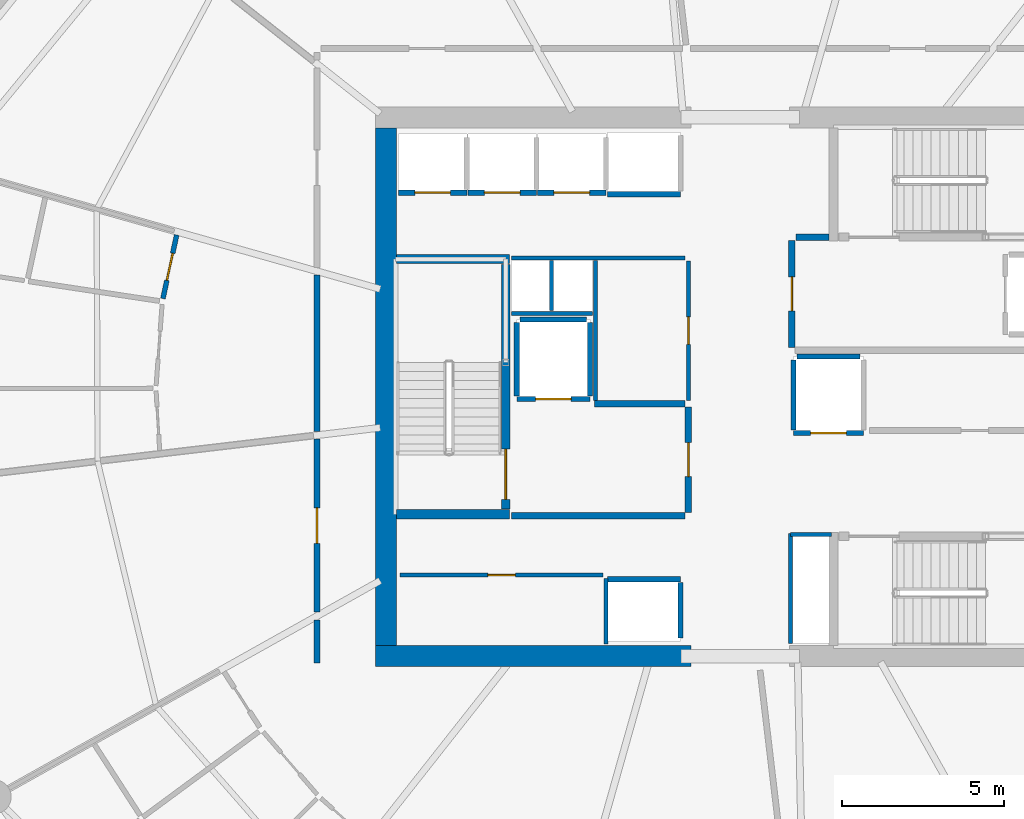
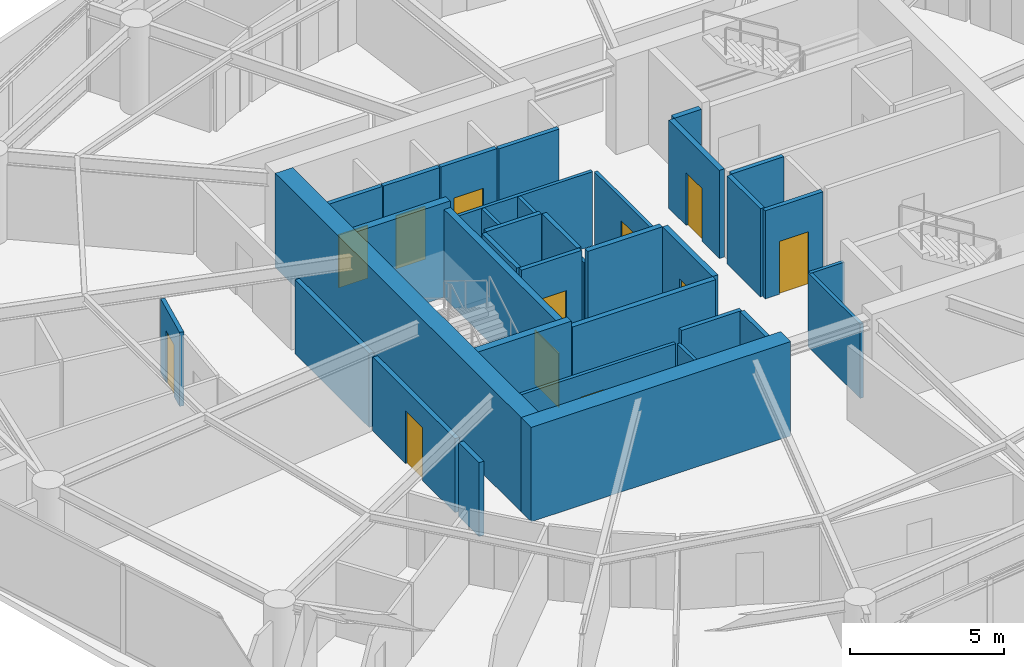
# One storey, part 12 of 20: 36 walls, 12 doors, 12 openings.
"""IFC4 building model written with IfcOpenShell, lengths in metres."""

from ifc_helpers import new_model, si_unit, direction, frame, frame_2d, origin, place, context, subcontext, project, spatial, rectangle, extrude, material, layer, layer_set, type_object, element, fill, save


model = new_model("IFC4")

# Units and contexts
model_context = context("Model", 3, precision=1e-05, world=origin(), true_north=direction((0.0, 1.0)))
body_context = subcontext(model_context, "Body", "Model", "MODEL_VIEW")
ifc_project = project(units=[si_unit("LENGTHUNIT", "METRE"), si_unit("AREAUNIT", "SQUARE_METRE"), si_unit("VOLUMEUNIT", "CUBIC_METRE"), si_unit("PLANEANGLEUNIT", "RADIAN"), si_unit("MASSUNIT", "GRAM", prefix="KILO")], contexts=[model_context])

# Site, building, storey
site_placement = place(None, origin())
site = spatial("IfcSite", under=ifc_project, at=site_placement, CompositionType="ELEMENT")
building_placement = place(site_placement, origin())
building = spatial("IfcBuilding", under=site, at=building_placement, Name="Kazma Halo Residences", CompositionType="ELEMENT")
storey_placement = place(building_placement, frame((0.0, 0.0, 206.550048828125)))
storey = spatial("IfcBuildingStorey", under=building, at=storey_placement, Name="L52", CompositionType="ELEMENT", Elevation=206.550048828125)

# Walls
ifc_material_1 = material(Name="Concrete C60/75", Category="concrete")
ifc_layer_1 = layer(ifc_material_1, 0.64990234375)
ifc_layer_set_1 = layer_set([ifc_layer_1], Name="Concrete C60/75")
wall_type_1 = type_object("IfcWallType", Name="WL-CORE-650", PredefinedType="SHEAR", material=ifc_layer_set_1)
wall_1_placement = place(storey_placement, frame((37.14990234375, 33.675048828125, 0.0), z_axis=(0.0, 0.0, 1.0), x_axis=(1.0, 0.0, 0.0)))
element("IfcWall", 1, at=wall_1_placement, inside=storey, type_object=wall_type_1, Name="L52 central core shear wall SW", PredefinedType="SHEAR", context=body_context, shape_type="SweptSolid", body=[
    extrude(rectangle(XDim=9.75, YDim=0.64990234375, at=frame_2d((4.875, 0.0))), origin(), (0.0, 0.0, 1.0), 3.75),
])
wall_2_placement = place(storey_placement, frame((37.47509765625, 34.0, 0.0), z_axis=(0.0, 0.0, 1.0), x_axis=(0.0, 1.0, 0.0)))
element("IfcWall", 2, at=wall_2_placement, inside=storey, type_object=wall_type_1, Name="L52 central core shear wall W", PredefinedType="SHEAR", context=body_context, shape_type="SweptSolid", body=[
    extrude(rectangle(XDim=16.0, YDim=0.64990234375, at=frame_2d((8.0, 0.0))), origin(), (0.0, 0.0, 1.0), 3.75),
])
ifc_layer_2 = layer(ifc_material_1, 0.280029296875)
ifc_layer_set_2 = layer_set([ifc_layer_2], Name="Concrete C60/75")
wall_type_2 = type_object("IfcWallType", Name="WL-CORE-ST-280", PredefinedType="SHEAR", material=ifc_layer_set_2)
for number, where, z_axis, x_axis, name in (
    (3, (37.800048828125, 38.06005859375, 0.0), (0.0, 0.0, 1.0), (1.0, 0.0, 0.0), "L52 stairwell bearing wall ST01-S"),
    (4, (37.800048828125, 45.93994140625, 0.0), (0.0, 0.0, 1.0), (1.0, 0.0, 0.0), "L52 stairwell bearing wall ST01-N"),
):
    element("IfcWall", number, at=place(storey_placement, frame(where, z_axis=z_axis, x_axis=x_axis)), inside=storey, type_object=wall_type_2, Name=name, PredefinedType="SHEAR", context=body_context, shape_type="SweptSolid", body=[
        extrude(rectangle(XDim=3.5, YDim=0.280029296875, at=frame_2d((1.75, 0.0))), origin(), (0.0, 0.0, 1.0), 3.75),
    ])
ifc_material_2 = material(Name="Acoustic Twin-Stud Gypsum")
ifc_layer_3 = layer(ifc_material_2, 0.179931640625)
ifc_layer_set_3 = layer_set([ifc_layer_3], Name="Acoustic Twin-Stud Gypsum")
wall_type_3 = type_object("IfcWallType", Name="WL-DEM-180", PredefinedType="PARTITIONING", material=ifc_layer_set_3)
wall_3_placement = place(storey_placement, frame((35.35009765625, 45.44775390625, 0.0), z_axis=(0.0, 0.0, 1.0), x_axis=(0.0, -1.0, 0.0)))
element("IfcWall", 5, at=wall_3_placement, inside=storey, type_object=wall_type_3, Name="L52 Apartment 2 inner wall 6", PredefinedType="PARTITIONING", context=body_context, shape_type="SweptSolid", body=[
    extrude(rectangle(XDim=4.824951171875, YDim=0.179931640625, at=frame_2d((2.41259765625, 0.0))), origin(), (0.0, 0.0, 1.0), 2.93994140625),
])

# Wall, opening, door
wall_4_placement = place(storey_placement, frame((35.35009765625, 40.3828125, 0.0), z_axis=(0.0, 0.0, 1.0), x_axis=(0.0, -1.0, 0.0)))
wall_4 = element("IfcWall", 6, at=wall_4_placement, inside=storey, type_object=wall_type_3, Name="L52 Apartment 3 entrance corridor wall", PredefinedType="PARTITIONING", context=body_context, shape_type="SweptSolid", body=[
    extrude(rectangle(XDim=5.34716796875, YDim=0.179931640625, at=frame_2d((2.673583984375, 0.0))), origin(), (0.0, 0.0, 1.0), 2.93994140625),
])
opening_1_placement = place(wall_4_placement, frame((2.12353515625, 0.0, 0.0)))
opening_1 = element("IfcOpeningElement", 7, at=opening_1_placement, cuts=wall_4, Name="Opening DA-1100", PredefinedType="OPENING", context=body_context, shape_type="SweptSolid", body=[
    extrude(rectangle(XDim=1.10009765625, YDim=2.10009765625, at=frame_2d((0.550048828125, 1.050048828125))), frame((0.0, 0.099853515625, 0.0), z_axis=(0.0, -1.0, 0.0), x_axis=(1.0, 0.0, 0.0)), (0.0, 0.0, 1.0), 0.199951171875),
])
ifc_material_3 = material(Name="Acoustic Walnut Fire Leaf")
door_type_1 = type_object("IfcDoorType", Name="DR-FD60-1100", OperationType="NOTDEFINED", PredefinedType="DOOR", material=ifc_material_3)
door_1_placement = place(opening_1_placement, origin())
door_1 = element("IfcDoor", 8, at=door_1_placement, inside=storey, type_object=door_type_1, Name="L52 Apartment 3 entrance fire door", OperationType="SINGLE_SWING_RIGHT", OverallHeight=2.10009765625, OverallWidth=1.10009765625, PredefinedType="DOOR", context=body_context, shape_type="SweptSolid", body=[
    extrude(rectangle(XDim=1.10009765625, YDim=2.10009765625, at=frame_2d((0.550048828125, 1.050048828125))), frame((0.0, 0.02490234375, 0.0), z_axis=(0.0, -1.0, 0.0), x_axis=(1.0, 0.0, 0.0)), (0.0, 0.0, 1.0), 0.050048828125),
])
fill(opening_1, door_1)

# Wall
wall_5_placement = place(storey_placement, frame((35.35009765625, 34.795654296875, 0.0), z_axis=(0.0, 0.0, 1.0), x_axis=(0.0, -1.0, 0.0)))
element("IfcWall", 9, at=wall_5_placement, inside=storey, type_object=wall_type_3, Name="L52 Apartment 3 inner wall 8", PredefinedType="PARTITIONING", context=body_context, shape_type="SweptSolid", body=[
    extrude(rectangle(XDim=1.32568359375, YDim=0.179931640625, at=frame_2d((0.662841796875, 0.0))), origin(), (0.0, 0.0, 1.0), 2.93994140625),
])

# Wall, opening, door
ifc_material_4 = material(Name="Fire-Rated Blockwork Masonry", Category="masonry")
ifc_layer_4 = layer(ifc_material_4, 0.199951171875)
ifc_layer_set_4 = layer_set([ifc_layer_4], Name="Fire-Rated Blockwork Masonry")
wall_type_4 = type_object("IfcWallType", Name="WL-FLB-200", PredefinedType="PARTITIONING", material=ifc_layer_set_4)
wall_6_placement = place(storey_placement, frame((39.97509765625, 47.9951171875, 0.0), z_axis=(0.0, 0.0, 1.0), x_axis=(-1.0, 0.0, 0.0)))
wall_6 = element("IfcWall", 10, at=wall_6_placement, inside=storey, type_object=wall_type_4, Name="L52 lift shaft PM-01 front wall", PredefinedType="PARTITIONING", context=body_context, shape_type="SweptSolid", body=[
    extrude(rectangle(XDim=2.110107421875, YDim=0.159912109375, at=frame_2d((1.05517578125, 0.0))), origin(), (0.0, 0.0, 1.0), 3.5),
])
opening_2_placement = place(wall_6_placement, frame((0.5048828125, 0.0, 0.0)))
opening_2 = element("IfcOpeningElement", 11, at=opening_2_placement, cuts=wall_6, Name="Opening LD-PM-01", PredefinedType="OPENING", context=body_context, shape_type="SweptSolid", body=[
    extrude(rectangle(XDim=1.10009765625, YDim=2.10009765625, at=frame_2d((0.550048828125, 1.050048828125))), frame((0.0, 0.08984375, 0.0), z_axis=(0.0, -1.0, 0.0), x_axis=(1.0, 0.0, 0.0)), (0.0, 0.0, 1.0), 0.179931640625),
])
ifc_material_5 = material(Name="Stainless Steel Fire-Rated", Category="steel")
door_type_2 = type_object("IfcDoorType", Name="DR-LIFT-SLD-1100", OperationType="DOUBLE_DOOR_SLIDING", PredefinedType="DOOR", material=ifc_material_5)
door_2_placement = place(opening_2_placement, origin())
door_2 = element("IfcDoor", 12, at=door_2_placement, inside=storey, type_object=door_type_2, Name="L52 lift PM-01 sliding landing door", OperationType="DOUBLE_DOOR_SLIDING", OverallHeight=2.10009765625, OverallWidth=1.10009765625, PredefinedType="DOOR", context=body_context, shape_type="SweptSolid", body=[
    extrude(rectangle(XDim=1.10009765625, YDim=2.10009765625, at=frame_2d((0.550048828125, 1.050048828125))), frame((0.0, 0.02490234375, 0.0), z_axis=(0.0, -1.0, 0.0), x_axis=(1.0, 0.0, 0.0)), (0.0, 0.0, 1.0), 0.050048828125),
])
fill(opening_2, door_2)

wall_7_placement = place(storey_placement, frame((42.125, 47.9951171875, 0.0), z_axis=(0.0, 0.0, 1.0), x_axis=(-1.0, 0.0, 0.0)))
wall_7 = element("IfcWall", 13, at=wall_7_placement, inside=storey, type_object=wall_type_4, Name="L52 lift shaft PM-02 front wall", PredefinedType="PARTITIONING", context=body_context, shape_type="SweptSolid", body=[
    extrude(rectangle(XDim=2.110107421875, YDim=0.159912109375, at=frame_2d((1.05517578125, 0.0))), origin(), (0.0, 0.0, 1.0), 3.5),
])
opening_3_placement = place(wall_7_placement, frame((0.5048828125, 0.0, 0.0)))
opening_3 = element("IfcOpeningElement", 14, at=opening_3_placement, cuts=wall_7, Name="Opening LD-PM-02", PredefinedType="OPENING", context=body_context, shape_type="SweptSolid", body=[
    extrude(rectangle(XDim=1.10009765625, YDim=2.10009765625, at=frame_2d((0.550048828125, 1.050048828125))), frame((0.0, 0.08984375, 0.0), z_axis=(0.0, -1.0, 0.0), x_axis=(1.0, 0.0, 0.0)), (0.0, 0.0, 1.0), 0.179931640625),
])
door_3_placement = place(opening_3_placement, origin())
door_3 = element("IfcDoor", 15, at=door_3_placement, inside=storey, type_object=door_type_2, Name="L52 lift PM-02 sliding landing door", OperationType="DOUBLE_DOOR_SLIDING", OverallHeight=2.10009765625, OverallWidth=1.10009765625, PredefinedType="DOOR", context=body_context, shape_type="SweptSolid", body=[
    extrude(rectangle(XDim=1.10009765625, YDim=2.10009765625, at=frame_2d((0.550048828125, 1.050048828125))), frame((0.0, 0.02490234375, 0.0), z_axis=(0.0, -1.0, 0.0), x_axis=(1.0, 0.0, 0.0)), (0.0, 0.0, 1.0), 0.050048828125),
])
fill(opening_3, door_3)

wall_8_placement = place(storey_placement, frame((44.27490234375, 47.9951171875, 0.0), z_axis=(0.0, 0.0, 1.0), x_axis=(-1.0, 0.0, 0.0)))
wall_8 = element("IfcWall", 16, at=wall_8_placement, inside=storey, type_object=wall_type_4, Name="L52 lift shaft PM-03 front wall", PredefinedType="PARTITIONING", context=body_context, shape_type="SweptSolid", body=[
    extrude(rectangle(XDim=2.10986328125, YDim=0.159912109375, at=frame_2d((1.054931640625, 0.0))), origin(), (0.0, 0.0, 1.0), 3.5),
])
opening_4_placement = place(wall_8_placement, frame((0.5048828125, 0.0, 0.0)))
opening_4 = element("IfcOpeningElement", 17, at=opening_4_placement, cuts=wall_8, Name="Opening LD-PM-03", PredefinedType="OPENING", context=body_context, shape_type="SweptSolid", body=[
    extrude(rectangle(XDim=1.10009765625, YDim=2.10009765625, at=frame_2d((0.550048828125, 1.050048828125))), frame((0.0, 0.08984375, 0.0), z_axis=(0.0, -1.0, 0.0), x_axis=(1.0, 0.0, 0.0)), (0.0, 0.0, 1.0), 0.179931640625),
])
door_4_placement = place(opening_4_placement, origin())
door_4 = element("IfcDoor", 18, at=door_4_placement, inside=storey, type_object=door_type_2, Name="L52 lift PM-03 sliding landing door", OperationType="DOUBLE_DOOR_SLIDING", OverallHeight=2.10009765625, OverallWidth=1.10009765625, PredefinedType="DOOR", context=body_context, shape_type="SweptSolid", body=[
    extrude(rectangle(XDim=1.10009765625, YDim=2.10009765625, at=frame_2d((0.550048828125, 1.050048828125))), frame((0.0, 0.02490234375, 0.0), z_axis=(0.0, -1.0, 0.0), x_axis=(1.0, 0.0, 0.0)), (0.0, 0.0, 1.0), 0.050048828125),
])
fill(opening_4, door_4)

# Walls
for number, where, z_axis, x_axis, name in (
    (19, (46.580078125, 47.945068359375, 0.0), (0.0, 0.0, 1.0), (-1.0, 0.0, 0.0), "L52 lift shaft PX-01 front wall"),
    (20, (44.320068359375, 36.054931640625, 0.0), (0.0, 0.0, 1.0), (1.0, 0.0, 0.0), "L52 lift shaft PX-02 front wall"),
):
    element("IfcWall", number, at=place(storey_placement, frame(where, z_axis=z_axis, x_axis=x_axis)), inside=storey, type_object=wall_type_4, Name=name, PredefinedType="PARTITIONING", context=body_context, shape_type="SweptSolid", body=[
        extrude(rectangle(XDim=2.260009765625, YDim=0.159912109375, at=frame_2d((1.1298828125, 0.0))), origin(), (0.0, 0.0, 1.0), 3.5),
    ])
wall_9_placement = place(storey_placement, frame((46.580078125, 34.2451171875, 0.0), z_axis=(0.0, 0.0, 1.0), x_axis=(0.0, 1.0, 0.0)))
element("IfcWall", 21, at=wall_9_placement, inside=storey, type_object=wall_type_4, Name="L52 lift shaft PX-02 side wall E", PredefinedType="PARTITIONING", context=body_context, shape_type="SweptSolid", body=[
    extrude(rectangle(XDim=1.7099609375, YDim=0.159912109375, at=frame_2d((0.85498046875, 0.0))), origin(), (0.0, 0.0, 1.0), 3.5),
])

# Wall, opening, door
wall_10_placement = place(storey_placement, frame((43.780029296875, 41.6201171875, 0.0), z_axis=(0.0, 0.0, 1.0), x_axis=(-1.0, 0.0, 0.0)))
wall_10 = element("IfcWall", 22, at=wall_10_placement, inside=storey, type_object=wall_type_4, Name="L52 lift shaft FL-01 front wall", PredefinedType="PARTITIONING", context=body_context, shape_type="SweptSolid", body=[
    extrude(rectangle(XDim=2.260009765625, YDim=0.159912109375, at=frame_2d((1.1298828125, 0.0))), origin(), (0.0, 0.0, 1.0), 3.5),
])
opening_5_placement = place(wall_10_placement, frame((0.580078125, 0.0, 0.0)))
opening_5 = element("IfcOpeningElement", 23, at=opening_5_placement, cuts=wall_10, Name="Opening LD-FL-01", PredefinedType="OPENING", context=body_context, shape_type="SweptSolid", body=[
    extrude(rectangle(XDim=1.10009765625, YDim=2.10009765625, at=frame_2d((0.550048828125, 1.050048828125))), frame((0.0, 0.08984375, 0.0), z_axis=(0.0, -1.0, 0.0), x_axis=(1.0, 0.0, 0.0)), (0.0, 0.0, 1.0), 0.179931640625),
])
door_5_placement = place(opening_5_placement, origin())
door_5 = element("IfcDoor", 24, at=door_5_placement, inside=storey, type_object=door_type_2, Name="L52 lift FL-01 sliding landing door", OperationType="DOUBLE_DOOR_SLIDING", OverallHeight=2.10009765625, OverallWidth=1.10009765625, PredefinedType="DOOR", context=body_context, shape_type="SweptSolid", body=[
    extrude(rectangle(XDim=1.10009765625, YDim=2.10009765625, at=frame_2d((0.550048828125, 1.050048828125))), frame((0.0, 0.02490234375, 0.0), z_axis=(0.0, -1.0, 0.0), x_axis=(1.0, 0.0, 0.0)), (0.0, 0.0, 1.0), 0.050048828125),
])
fill(opening_5, door_5)

# Walls
for number, where, z_axis, x_axis, name in (
    (25, (43.780029296875, 41.719970703125, 0.0), (0.0, 0.0, 1.0), (0.0, 1.0, 0.0), "L52 lift shaft FL-01 side wall E"),
    (26, (41.52001953125, 41.719970703125, 0.0), (0.0, 0.0, 1.0), (0.0, 1.0, 0.0), "L52 lift shaft FL-01 side wall W"),
):
    element("IfcWall", number, at=place(storey_placement, frame(where, z_axis=z_axis, x_axis=x_axis)), inside=storey, type_object=wall_type_4, Name=name, PredefinedType="PARTITIONING", context=body_context, shape_type="SweptSolid", body=[
        extrude(rectangle(XDim=2.260009765625, YDim=0.159912109375, at=frame_2d((1.1298828125, 0.0))), origin(), (0.0, 0.0, 1.0), 3.5),
    ])
wall_11_placement = place(storey_placement, frame((41.6201171875, 44.080078125, 0.0), z_axis=(0.0, 0.0, 1.0), x_axis=(1.0, 0.0, 0.0)))
element("IfcWall", 27, at=wall_11_placement, inside=storey, type_object=wall_type_4, Name="L52 lift shaft FL-01 side wall N", PredefinedType="PARTITIONING", context=body_context, shape_type="SweptSolid", body=[
    extrude(rectangle(XDim=2.059814453125, YDim=0.159912109375, at=frame_2d((1.02978515625, 0.0))), origin(), (0.0, 0.0, 1.0), 3.5),
])

# Wall, opening, door
wall_12_placement = place(storey_placement, frame((52.22998046875, 40.570068359375, 0.0), z_axis=(0.0, 0.0, 1.0), x_axis=(-1.0, 0.0, 0.0)))
wall_12 = element("IfcWall", 28, at=wall_12_placement, inside=storey, type_object=wall_type_4, Name="L52 lift shaft SV-01 front wall", PredefinedType="PARTITIONING", context=body_context, shape_type="SweptSolid", body=[
    extrude(rectangle(XDim=2.159912109375, YDim=0.159912109375, at=frame_2d((1.080078125, 0.0))), origin(), (0.0, 0.0, 1.0), 3.5),
])
opening_6_placement = place(wall_12_placement, frame((0.530029296875, 0.0, 0.0)))
opening_6 = element("IfcOpeningElement", 29, at=opening_6_placement, cuts=wall_12, Name="Opening LD-SV-01", PredefinedType="OPENING", context=body_context, shape_type="SweptSolid", body=[
    extrude(rectangle(XDim=1.10009765625, YDim=2.10009765625, at=frame_2d((0.550048828125, 1.050048828125))), frame((0.0, 0.08984375, 0.0), z_axis=(0.0, -1.0, 0.0), x_axis=(1.0, 0.0, 0.0)), (0.0, 0.0, 1.0), 0.179931640625),
])
door_6_placement = place(opening_6_placement, origin())
door_6 = element("IfcDoor", 30, at=door_6_placement, inside=storey, type_object=door_type_2, Name="L52 lift SV-01 sliding landing door", OperationType="DOUBLE_DOOR_SLIDING", OverallHeight=2.10009765625, OverallWidth=1.10009765625, PredefinedType="DOOR", context=body_context, shape_type="SweptSolid", body=[
    extrude(rectangle(XDim=1.10009765625, YDim=2.10009765625, at=frame_2d((0.550048828125, 1.050048828125))), frame((0.0, 0.02490234375, 0.0), z_axis=(0.0, -1.0, 0.0), x_axis=(1.0, 0.0, 0.0)), (0.0, 0.0, 1.0), 0.050048828125),
])
fill(opening_6, door_6)

# Walls
wall_13_placement = place(storey_placement, frame((50.070068359375, 40.669921875, 0.0), z_axis=(0.0, 0.0, 1.0), x_axis=(0.0, 1.0, 0.0)))
element("IfcWall", 31, at=wall_13_placement, inside=storey, type_object=wall_type_4, Name="L52 lift shaft SV-01 side wall W", PredefinedType="PARTITIONING", context=body_context, shape_type="SweptSolid", body=[
    extrude(rectangle(XDim=2.16015625, YDim=0.159912109375, at=frame_2d((1.080078125, 0.0))), origin(), (0.0, 0.0, 1.0), 3.5),
])
wall_14_placement = place(storey_placement, frame((50.169921875, 42.929931640625, 0.0), z_axis=(0.0, 0.0, 1.0), x_axis=(1.0, 0.0, 0.0)))
element("IfcWall", 32, at=wall_14_placement, inside=storey, type_object=wall_type_4, Name="L52 lift shaft SV-01 side wall N", PredefinedType="PARTITIONING", context=body_context, shape_type="SweptSolid", body=[
    extrude(rectangle(XDim=1.9599609375, YDim=0.159912109375, at=frame_2d((0.97998046875, 0.0))), origin(), (0.0, 0.0, 1.0), 3.5),
])
wall_15_placement = place(storey_placement, frame((41.35009765625, 38.02001953125, 0.0), z_axis=(0.0, 0.0, 1.0), x_axis=(1.0, 0.0, 0.0)))
element("IfcWall", 33, at=wall_15_placement, inside=storey, type_object=wall_type_4, Name="L52 west firefighting lobby south smoke wall", PredefinedType="PARTITIONING", context=body_context, shape_type="SweptSolid", body=[
    extrude(rectangle(XDim=5.369873046875, YDim=0.199951171875, at=frame_2d((2.68505859375, 0.0))), origin(), (0.0, 0.0, 1.0), 3.5),
])
wall_16_placement = place(storey_placement, frame((43.919921875, 41.47998046875, 0.0), z_axis=(0.0, 0.0, 1.0), x_axis=(1.0, 0.0, 0.0)))
element("IfcWall", 34, at=wall_16_placement, inside=storey, type_object=wall_type_4, Name="L52 west firefighting lobby north smoke wall", PredefinedType="PARTITIONING", context=body_context, shape_type="SweptSolid", body=[
    extrude(rectangle(XDim=2.800048828125, YDim=0.199951171875, at=frame_2d((1.39990234375, 0.0))), origin(), (0.0, 0.0, 1.0), 3.5),
])

# Wall, opening, door
wall_17_placement = place(storey_placement, frame((46.820068359375, 38.1201171875, 0.0), z_axis=(0.0, 0.0, 1.0), x_axis=(0.0, 1.0, 0.0)))
wall_17 = element("IfcWall", 35, at=wall_17_placement, inside=storey, type_object=wall_type_4, Name="L52 west firefighting lobby smoke wall", PredefinedType="PARTITIONING", context=body_context, shape_type="SweptSolid", body=[
    extrude(rectangle(XDim=3.259765625, YDim=0.199951171875, at=frame_2d((1.6298828125, 0.0))), origin(), (0.0, 0.0, 1.0), 3.5),
])
opening_7_placement = place(wall_17_placement, frame((1.10498046875, 0.0, 0.0)))
opening_7 = element("IfcOpeningElement", 36, at=opening_7_placement, cuts=wall_17, Name="Opening D-FLW", PredefinedType="OPENING", context=body_context, shape_type="SweptSolid", body=[
    extrude(rectangle(XDim=1.050048828125, YDim=2.10009765625, at=frame_2d((0.52490234375, 1.050048828125))), frame((0.0, 0.10986328125, 0.0), z_axis=(0.0, -1.0, 0.0), x_axis=(1.0, 0.0, 0.0)), (0.0, 0.0, 1.0), 0.219970703125),
])
ifc_material_6 = material(Name="Fire-Rated Steel Leaf", Category="steel")
door_type_3 = type_object("IfcDoorType", Name="DR-FD90-1050", OperationType="NOTDEFINED", PredefinedType="DOOR", material=ifc_material_6)
door_7_placement = place(opening_7_placement, origin())
door_7 = element("IfcDoor", 37, at=door_7_placement, inside=storey, type_object=door_type_3, Name="L52 west firefighting lobby smoke door", OperationType="SINGLE_SWING_LEFT", OverallHeight=2.10009765625, OverallWidth=1.050048828125, PredefinedType="DOOR", context=body_context, shape_type="SweptSolid", body=[
    extrude(rectangle(XDim=1.050048828125, YDim=2.10009765625, at=frame_2d((0.52490234375, 1.050048828125))), frame((0.0, 0.02490234375, 0.0), z_axis=(0.0, -1.0, 0.0), x_axis=(1.0, 0.0, 0.0)), (0.0, 0.0, 1.0), 0.050048828125),
])
fill(opening_7, door_7)

# Wall
wall_18_placement = place(storey_placement, frame((50.139892578125, 46.6201171875, 0.0), z_axis=(0.0, 0.0, 1.0), x_axis=(1.0, 0.0, 0.0)))
element("IfcWall", 38, at=wall_18_placement, inside=storey, type_object=wall_type_4, Name="L52 east firefighting lobby north closure wall", PredefinedType="PARTITIONING", context=body_context, shape_type="SweptSolid", body=[
    extrude(rectangle(XDim=1.02001953125, YDim=0.199951171875, at=frame_2d((0.510009765625, 0.0))), origin(), (0.0, 0.0, 1.0), 3.5),
])

# Wall, opening, door
wall_19_placement = place(storey_placement, frame((50.02001953125, 43.219970703125, 0.0), z_axis=(0.0, 0.0, 1.0), x_axis=(0.0, 1.0, 0.0)))
wall_19 = element("IfcWall", 39, at=wall_19_placement, inside=storey, type_object=wall_type_4, Name="L52 east firefighting lobby smoke wall", PredefinedType="PARTITIONING", context=body_context, shape_type="SweptSolid", body=[
    extrude(rectangle(XDim=3.300048828125, YDim=0.199951171875, at=frame_2d((1.64990234375, 0.0))), origin(), (0.0, 0.0, 1.0), 3.5),
])
opening_8_placement = place(wall_19_placement, frame((1.125, 0.0, 0.0)))
opening_8 = element("IfcOpeningElement", 40, at=opening_8_placement, cuts=wall_19, Name="Opening D-FLE", PredefinedType="OPENING", context=body_context, shape_type="SweptSolid", body=[
    extrude(rectangle(XDim=1.050048828125, YDim=2.10009765625, at=frame_2d((0.52490234375, 1.050048828125))), frame((0.0, 0.10986328125, 0.0), z_axis=(0.0, -1.0, 0.0), x_axis=(1.0, 0.0, 0.0)), (0.0, 0.0, 1.0), 0.219970703125),
])
door_8_placement = place(opening_8_placement, origin())
door_8 = element("IfcDoor", 41, at=door_8_placement, inside=storey, type_object=door_type_3, Name="L52 east firefighting lobby smoke door", OperationType="SINGLE_SWING_RIGHT", OverallHeight=2.10009765625, OverallWidth=1.050048828125, PredefinedType="DOOR", context=body_context, shape_type="SweptSolid", body=[
    extrude(rectangle(XDim=1.050048828125, YDim=2.10009765625, at=frame_2d((0.52490234375, 1.050048828125))), frame((0.0, 0.02490234375, 0.0), z_axis=(0.0, -1.0, 0.0), x_axis=(1.0, 0.0, 0.0)), (0.0, 0.0, 1.0), 0.050048828125),
])
fill(opening_8, door_8)

# Wall
ifc_material_7 = material(Name="Gypsum Plasterboard Partition")
ifc_layer_5 = layer(ifc_material_7, 0.125)
ifc_layer_set_5 = layer_set([ifc_layer_5], Name="Gypsum Plasterboard Partition")
wall_type_5 = type_object("IfcWallType", Name="WL-PART-125", PredefinedType="PARTITIONING", material=ifc_layer_set_5)
wall_20_placement = place(storey_placement, frame((44.280029296875, 34.050048828125, 0.0), z_axis=(0.0, 0.0, 1.0), x_axis=(0.0, 1.0, 0.0)))
element("IfcWall", 42, at=wall_20_placement, inside=storey, type_object=wall_type_5, Name="L52 reclaimed south east wall", PredefinedType="PARTITIONING", context=body_context, shape_type="SweptSolid", body=[
    extrude(rectangle(XDim=2.030029296875, YDim=0.125, at=frame_2d((1.01513671875, 0.0))), origin(), (0.0, 0.0, 1.0), 2.93994140625),
])

# Wall, opening, door
wall_21_placement = place(storey_placement, frame((37.919921875, 36.179931640625, 0.0), z_axis=(0.0, 0.0, 1.0), x_axis=(1.0, 0.0, 0.0)))
wall_21 = element("IfcWall", 43, at=wall_21_placement, inside=storey, type_object=wall_type_5, Name="L52 reclaimed south front wall", PredefinedType="PARTITIONING", context=body_context, shape_type="SweptSolid", body=[
    extrude(rectangle(XDim=6.260009765625, YDim=0.125, at=frame_2d((3.1298828125, 0.0))), origin(), (0.0, 0.0, 1.0), 2.93994140625),
])
opening_9_placement = place(wall_21_placement, frame((2.705078125, 0.0, 0.0)))
opening_9 = element("IfcOpeningElement", 44, at=opening_9_placement, cuts=wall_21, Name="Opening DS-850", PredefinedType="OPENING", context=body_context, shape_type="SweptSolid", body=[
    extrude(rectangle(XDim=0.85009765625, YDim=2.06005859375, at=frame_2d((0.425048828125, 1.030029296875))), frame((0.0, 0.072509765625, 0.0), z_axis=(0.0, -1.0, 0.0), x_axis=(1.0, 0.0, 0.0)), (0.0, 0.0, 1.0), 0.14501953125),
])
ifc_material_8 = material(Name="Painted Steel Access Leaf", Category="steel")
door_type_4 = type_object("IfcDoorType", Name="DR-SVC-850", OperationType="NOTDEFINED", PredefinedType="DOOR", material=ifc_material_8)
door_9_placement = place(opening_9_placement, origin())
door_9 = element("IfcDoor", 45, at=door_9_placement, inside=storey, type_object=door_type_4, Name="L52 reclaimed south service door", OperationType="SINGLE_SWING_LEFT", OverallHeight=2.06005859375, OverallWidth=0.85009765625, PredefinedType="DOOR", context=body_context, shape_type="SweptSolid", body=[
    extrude(rectangle(XDim=0.85009765625, YDim=2.06005859375, at=frame_2d((0.425048828125, 1.030029296875))), frame((0.0, 0.02490234375, 0.0), z_axis=(0.0, -1.0, 0.0), x_axis=(1.0, 0.0, 0.0)), (0.0, 0.0, 1.0), 0.050048828125),
])
fill(opening_9, door_9)

# Walls
wall_22_placement = place(storey_placement, frame((41.360107421875, 45.97998046875, 0.0), z_axis=(0.0, 0.0, 1.0), x_axis=(1.0, 0.0, 0.0)))
element("IfcWall", 46, at=wall_22_placement, inside=storey, type_object=wall_type_5, Name="L52 core north riser wall", PredefinedType="PARTITIONING", context=body_context, shape_type="SweptSolid", body=[
    extrude(rectangle(XDim=5.35986328125, YDim=0.125, at=frame_2d((2.679931640625, 0.0))), origin(), (0.0, 0.0, 1.0), 2.93994140625),
])
wall_23_placement = place(storey_placement, frame((41.360107421875, 44.260009765625, 0.0), z_axis=(0.0, 0.0, 1.0), x_axis=(1.0, 0.0, 0.0)))
element("IfcWall", 47, at=wall_23_placement, inside=storey, type_object=wall_type_5, Name="L52 core riser south wall", PredefinedType="PARTITIONING", context=body_context, shape_type="SweptSolid", body=[
    extrude(rectangle(XDim=2.5, YDim=0.125, at=frame_2d((1.25, 0.0))), origin(), (0.0, 0.0, 1.0), 2.93994140625),
])
wall_24_placement = place(storey_placement, frame((42.60009765625, 44.35009765625, 0.0), z_axis=(0.0, 0.0, 1.0), x_axis=(0.0, 1.0, 0.0)))
element("IfcWall", 48, at=wall_24_placement, inside=storey, type_object=wall_type_5, Name="L52 core riser divider wall", PredefinedType="PARTITIONING", context=body_context, shape_type="SweptSolid", body=[
    extrude(rectangle(XDim=1.5498046875, YDim=0.125, at=frame_2d((0.77490234375, 0.0))), origin(), (0.0, 0.0, 1.0), 2.93994140625),
])
wall_25_placement = place(storey_placement, frame((49.97998046875, 34.06005859375, 0.0), z_axis=(0.0, 0.0, 1.0), x_axis=(0.0, 1.0, 0.0)))
element("IfcWall", 49, at=wall_25_placement, inside=storey, type_object=wall_type_5, Name="L52 standpipe riser wall", PredefinedType="PARTITIONING", context=body_context, shape_type="SweptSolid", body=[
    extrude(rectangle(XDim=3.39990234375, YDim=0.125, at=frame_2d((1.699951171875, 0.0))), origin(), (0.0, 0.0, 1.0), 2.93994140625),
])
wall_26_placement = place(storey_placement, frame((49.97998046875, 37.43994140625, 0.0), z_axis=(0.0, 0.0, 1.0), x_axis=(1.0, 0.0, 0.0)))
element("IfcWall", 50, at=wall_26_placement, inside=storey, type_object=wall_type_5, Name="L52 standpipe riser north wall", PredefinedType="PARTITIONING", context=body_context, shape_type="SweptSolid", body=[
    extrude(rectangle(XDim=1.260009765625, YDim=0.125, at=frame_2d((0.6298828125, 0.0))), origin(), (0.0, 0.0, 1.0), 2.93994140625),
])
wall_27_placement = place(storey_placement, frame((43.949951171875, 41.580078125, 0.0), z_axis=(0.0, 0.0, 1.0), x_axis=(0.0, 1.0, 0.0)))
element("IfcWall", 51, at=wall_27_placement, inside=storey, type_object=wall_type_5, Name="L52 core service west wall", PredefinedType="PARTITIONING", context=body_context, shape_type="SweptSolid", body=[
    extrude(rectangle(XDim=4.31982421875, YDim=0.125, at=frame_2d((2.159912109375, 0.0))), origin(), (0.0, 0.0, 1.0), 2.93994140625),
])

# Wall, opening, door
wall_28_placement = place(storey_placement, frame((46.820068359375, 41.580078125, 0.0), z_axis=(0.0, 0.0, 1.0), x_axis=(0.0, 1.0, 0.0)))
wall_28 = element("IfcWall", 52, at=wall_28_placement, inside=storey, type_object=wall_type_5, Name="L52 core service room east wall", PredefinedType="PARTITIONING", context=body_context, shape_type="SweptSolid", body=[
    extrude(rectangle(XDim=4.2998046875, YDim=0.125, at=frame_2d((2.14990234375, 0.0))), origin(), (0.0, 0.0, 1.0), 2.93994140625),
])
opening_10_placement = place(wall_28_placement, frame((1.72509765625, 0.0, 0.0)))
opening_10 = element("IfcOpeningElement", 53, at=opening_10_placement, cuts=wall_28, Name="Opening DS-850", PredefinedType="OPENING", context=body_context, shape_type="SweptSolid", body=[
    extrude(rectangle(XDim=0.85009765625, YDim=2.06005859375, at=frame_2d((0.425048828125, 1.030029296875))), frame((0.0, 0.072509765625, 0.0), z_axis=(0.0, -1.0, 0.0), x_axis=(1.0, 0.0, 0.0)), (0.0, 0.0, 1.0), 0.14501953125),
])
door_10_placement = place(opening_10_placement, origin())
door_10 = element("IfcDoor", 54, at=door_10_placement, inside=storey, type_object=door_type_4, Name="L52 core service room door", OperationType="SINGLE_SWING_LEFT", OverallHeight=2.06005859375, OverallWidth=0.85009765625, PredefinedType="DOOR", context=body_context, shape_type="SweptSolid", body=[
    extrude(rectangle(XDim=0.85009765625, YDim=2.06005859375, at=frame_2d((0.425048828125, 1.030029296875))), frame((0.0, 0.02490234375, 0.0), z_axis=(0.0, -1.0, 0.0), x_axis=(1.0, 0.0, 0.0)), (0.0, 0.0, 1.0), 0.050048828125),
])
fill(opening_10, door_10)

ifc_material_9 = material(Name="Concrete C50/60", Category="concrete")
ifc_layer_6 = layer(ifc_material_9, 0.25)
ifc_layer_set_6 = layer_set([ifc_layer_6], Name="Concrete C50/60")
wall_type_6 = type_object("IfcWallType", Name="WL-SHF-250", PredefinedType="SOLIDWALL", material=ifc_layer_set_6)
wall_29_placement = place(storey_placement, frame((41.179931640625, 38.219970703125, 0.0), z_axis=(0.0, 0.0, 1.0), x_axis=(0.0, 1.0, 0.0)))
wall_29 = element("IfcWall", 55, at=wall_29_placement, inside=storey, type_object=wall_type_6, Name="L52 exit stair ST-01 enclosure wall", PredefinedType="SOLIDWALL", context=body_context, shape_type="SweptSolid", body=[
    extrude(rectangle(XDim=7.56005859375, YDim=0.25, at=frame_2d((3.780029296875, 0.0))), origin(), (0.0, 0.0, 1.0), 3.5),
])
opening_11_placement = place(wall_29_placement, frame((0.300048828125, 0.0, 0.0)))
opening_11 = element("IfcOpeningElement", 56, at=opening_11_placement, cuts=wall_29, Name="Opening D-ST1", PredefinedType="OPENING", context=body_context, shape_type="SweptSolid", body=[
    extrude(rectangle(XDim=1.550048828125, YDim=2.14990234375, at=frame_2d((0.77490234375, 1.074951171875))), frame((0.0, 0.135009765625, 0.0), z_axis=(0.0, -1.0, 0.0), x_axis=(1.0, 0.0, 0.0)), (0.0, 0.0, 1.0), 0.27001953125),
])
ifc_material_10 = material(Name="Fire-Rated Double Steel Leaf", Category="steel")
door_type_5 = type_object("IfcDoorType", Name="DR-FD90-1550", OperationType="NOTDEFINED", PredefinedType="DOOR", material=ifc_material_10)
door_11_placement = place(opening_11_placement, origin())
door_11 = element("IfcDoor", 57, at=door_11_placement, inside=storey, type_object=door_type_5, Name="L52 exit stair ST-01 fire door", OperationType="DOUBLE_DOOR_SINGLE_SWING", OverallHeight=2.14990234375, OverallWidth=1.550048828125, PredefinedType="DOOR", context=body_context, shape_type="SweptSolid", body=[
    extrude(rectangle(XDim=1.550048828125, YDim=2.14990234375, at=frame_2d((0.77490234375, 1.074951171875))), frame((0.0, 0.02490234375, 0.0), z_axis=(0.0, -1.0, 0.0), x_axis=(1.0, 0.0, 0.0)), (0.0, 0.0, 1.0), 0.050048828125),
])
fill(opening_11, door_11)

ifc_material_11 = material(Name="Moisture-Resistant Gypsum")
ifc_layer_7 = layer(ifc_material_11, 0.14990234375)
ifc_layer_set_7 = layer_set([ifc_layer_7], Name="Moisture-Resistant Gypsum")
wall_type_7 = type_object("IfcWallType", Name="WL-WET-150", PredefinedType="PARTITIONING", material=ifc_layer_set_7)
wall_30_placement = place(storey_placement, frame((31.0126953125, 46.687255859375, 0.0), z_axis=(0.0, 0.0, 1.0), x_axis=(-0.210740012814, -0.977542145894, 0.0)))
wall_30 = element("IfcWall", 58, at=wall_30_placement, inside=storey, type_object=wall_type_7, Name="L52 Apartment 2 Guest Bathroom hall wall", PredefinedType="PARTITIONING", context=body_context, shape_type="SweptSolid", body=[
    extrude(rectangle(XDim=2.010009765625, YDim=0.14990234375, at=frame_2d((1.0048828125, 0.0))), origin(), (0.0, 0.0, 1.0), 2.93994140625),
])
opening_12_placement = place(wall_30_placement, frame((0.579833984375, 0.0, 0.0)))
opening_12 = element("IfcOpeningElement", 59, at=opening_12_placement, cuts=wall_30, Name="Opening DB-900", PredefinedType="OPENING", context=body_context, shape_type="SweptSolid", body=[
    extrude(rectangle(XDim=0.85009765625, YDim=2.06005859375, at=frame_2d((0.425048828125, 1.030029296875))), frame((0.0, 0.0849609375, 0.0), z_axis=(0.0, -1.0, 0.0), x_axis=(1.0, 0.0, 0.0)), (0.0, 0.0, 1.0), 0.169921875),
])
ifc_material_12 = material(Name="Moisture-Sealed Timber Leaf", Category="wood")
door_type_6 = type_object("IfcDoorType", Name="DR-BTH-900", OperationType="NOTDEFINED", PredefinedType="DOOR", material=ifc_material_12)
door_12_placement = place(opening_12_placement, origin())
door_12 = element("IfcDoor", 60, at=door_12_placement, inside=storey, type_object=door_type_6, Name="L52 Apartment 2 Guest Bathroom door", OperationType="SINGLE_SWING_LEFT", OverallHeight=2.06005859375, OverallWidth=0.85009765625, PredefinedType="DOOR", context=body_context, shape_type="SweptSolid", body=[
    extrude(rectangle(XDim=0.85009765625, YDim=2.06005859375, at=frame_2d((0.425048828125, 1.030029296875))), frame((0.0, 0.02490234375, 0.0), z_axis=(0.0, -1.0, 0.0), x_axis=(1.0, 0.0, 0.0)), (0.0, 0.0, 1.0), 0.050048828125),
])
fill(opening_12, door_12)

save(model, "model.ifc")
